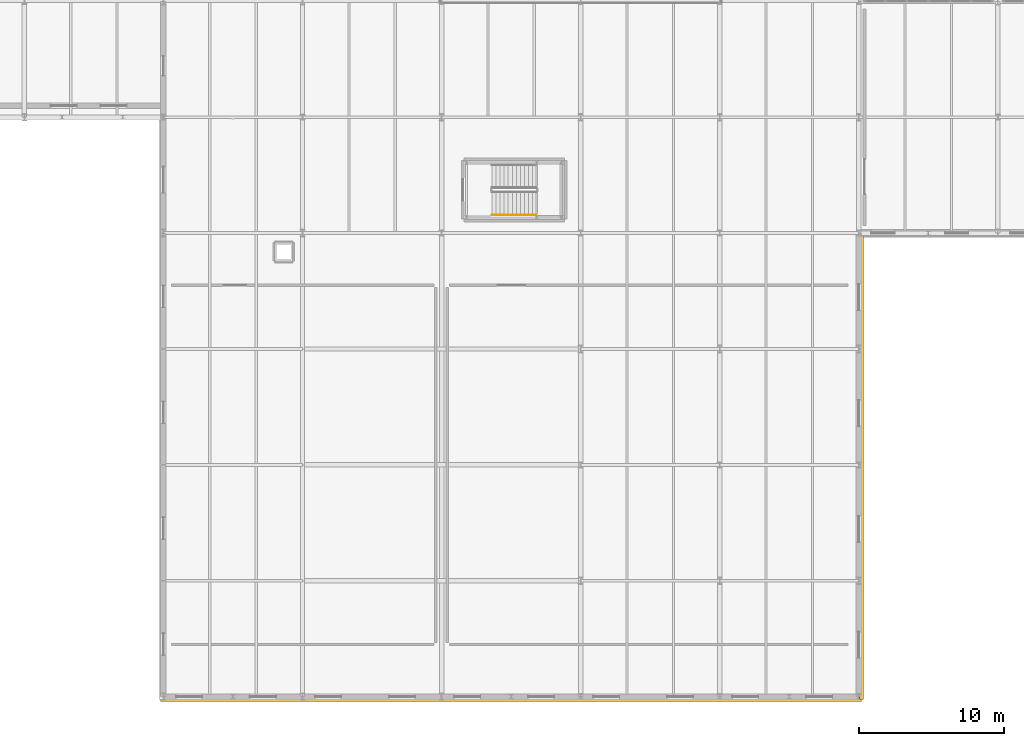
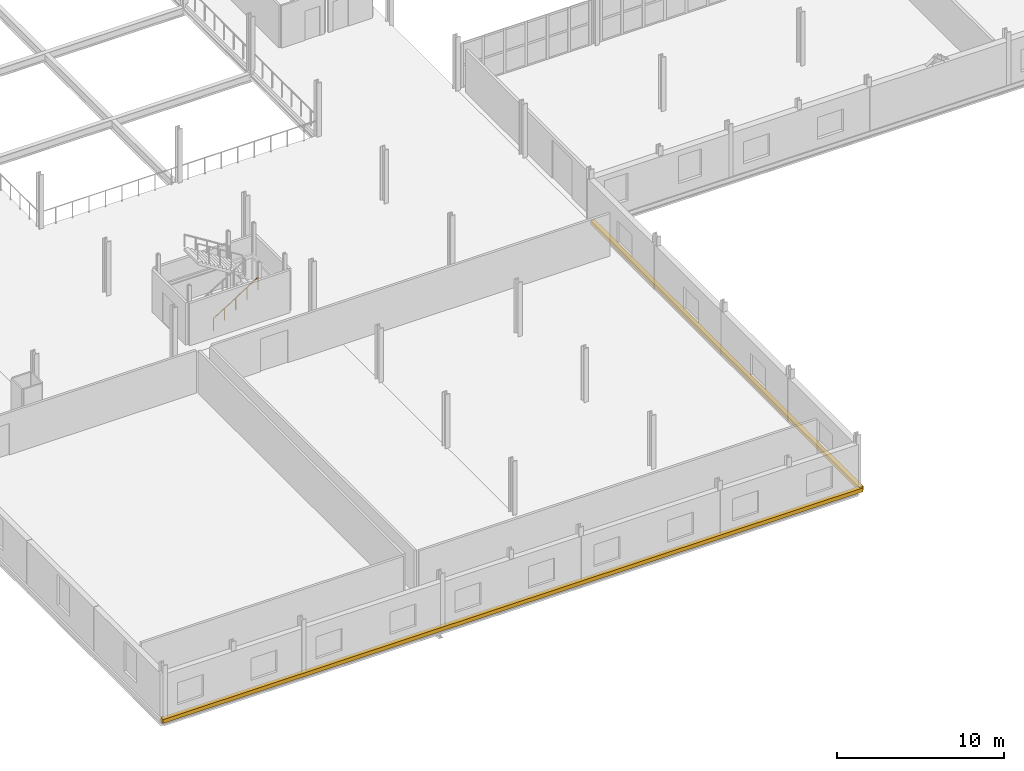
# One storey, part 69 of 78: 2 coverings, 1 railing.
"""IFC4 building model written with IfcOpenShell, lengths in metres."""

from ifc_helpers import new_model, si_unit, direction, frame, frame_2d, origin, origin_2d, place, context, subcontext, project, spatial, rectangle, circle, extrude, material, layer, layer_set, type_object, element, save


model = new_model("IFC4")

# Units and contexts
model_context = context("Model", 3, precision=1e-05, world=origin(), true_north=direction((0.0, 1.0)))
body_context = subcontext(model_context, "Body", "Model", "MODEL_VIEW")
ifc_project = project(units=[si_unit("LENGTHUNIT", "METRE"), si_unit("AREAUNIT", "SQUARE_METRE"), si_unit("VOLUMEUNIT", "CUBIC_METRE"), si_unit("PLANEANGLEUNIT", "RADIAN"), si_unit("MASSUNIT", "GRAM", prefix="KILO")], contexts=[model_context])

# Site, building, storey
site_placement = place(None, origin())
site = spatial("IfcSite", under=ifc_project, at=site_placement, CompositionType="ELEMENT")
building_placement = place(site_placement, origin())
building = spatial("IfcBuilding", under=site, at=building_placement, Name="Alderhovde Museum", CompositionType="ELEMENT")
storey_placement = place(building_placement, frame((0.0, 0.0, 4.5)))
storey = spatial("IfcBuildingStorey", under=building, at=storey_placement, Name="L01", CompositionType="ELEMENT", Elevation=4.5)

# Coverings
ifc_material_1 = material(Name="Carved Jura Limestone Classical Cornice Moulding", Category="masonry")
ifc_layer = layer(ifc_material_1, 0.280029296875)
ifc_layer_set = layer_set([ifc_layer], Name="Carved Jura Limestone Classical Cornice Moulding")
covering_type = type_object("IfcCoveringType", Name="COV-CORNICE-STONE", PredefinedType="MOLDING", material=ifc_layer_set)
covering_1_placement = place(storey_placement, frame((67.0, -0.179931640625, -0.199951171875), z_axis=(0.0, 0.0, 1.0), x_axis=(1.0, 0.0, 0.0)))
element("IfcCovering", 1, at=covering_1_placement, inside=storey, type_object=covering_type, Name="L01 Classical Beaux-Arts Limestone Cornice 4", PredefinedType="MOLDING", context=body_context, shape_type="SweptSolid", body=[
    extrude(rectangle(XDim=48.39990234375, YDim=0.280029296875, at=frame_2d((24.199951171875, 0.0))), origin(), (0.0, 0.0, 1.0), 0.280029296875),
])
covering_2_placement = place(storey_placement, frame((115.3798828125, -0.179931640625, -0.199951171875), z_axis=(0.0, 0.0, 1.0), x_axis=(0.0, 1.0, 0.0)))
element("IfcCovering", 2, at=covering_2_placement, inside=storey, type_object=covering_type, Name="L01 Classical Beaux-Arts Limestone Cornice 7", PredefinedType="MOLDING", context=body_context, shape_type="SweptSolid", body=[
    extrude(rectangle(XDim=32.179931640625, YDim=0.280029296875, at=frame_2d((16.08984375, 0.0))), origin(), (0.0, 0.0, 1.0), 0.280029296875),
])

# Railing
ifc_material_2 = material(Name="Brushed Stainless Steel Handrail", Category="steel")
railing_type = type_object("IfcRailingType", Name="RL-HANDRAIL-900", PredefinedType="HANDRAIL", material=ifc_material_2)
railing_placement = place(storey_placement, frame((89.8798828125, 33.25, 0.175048828125)))
element("IfcRailing", 3, at=railing_placement, inside=storey, type_object=railing_type, Name="L01 ST3 stair handrail 1", PredefinedType="HANDRAIL", context=body_context, shape_type="SweptSolid", body=[
    extrude(circle(Radius=0.02392578125, at=origin_2d()), frame((0.0, 0.0, 0.8759765625), z_axis=(0.847998304005, 0.0, 0.529998940003), x_axis=(0.0, 1.0, 0.0)), (0.0, 0.0, 1.0), 3.632080078125),
    extrude(circle(Radius=0.02099609375, at=origin_2d()), origin(), (0.0, 0.0, 1.0), 0.851806640625),
    extrude(circle(Radius=0.02099609375, at=origin_2d()), frame((0.77001953125, 0.0, 0.481201171875)), (0.0, 0.0, 1.0), 0.851806640625),
    extrude(circle(Radius=0.02099609375, at=origin_2d()), frame((1.5400390625, 0.0, 0.96240234375)), (0.0, 0.0, 1.0), 0.851806640625),
    extrude(circle(Radius=0.02099609375, at=origin_2d()), frame((2.31005859375, 0.0, 1.44384765625)), (0.0, 0.0, 1.0), 0.851806640625),
    extrude(circle(Radius=0.02099609375, at=origin_2d()), frame((3.080078125, 0.0, 1.925048828125)), (0.0, 0.0, 1.0), 0.851806640625),
])

save(model, "model.ifc")
